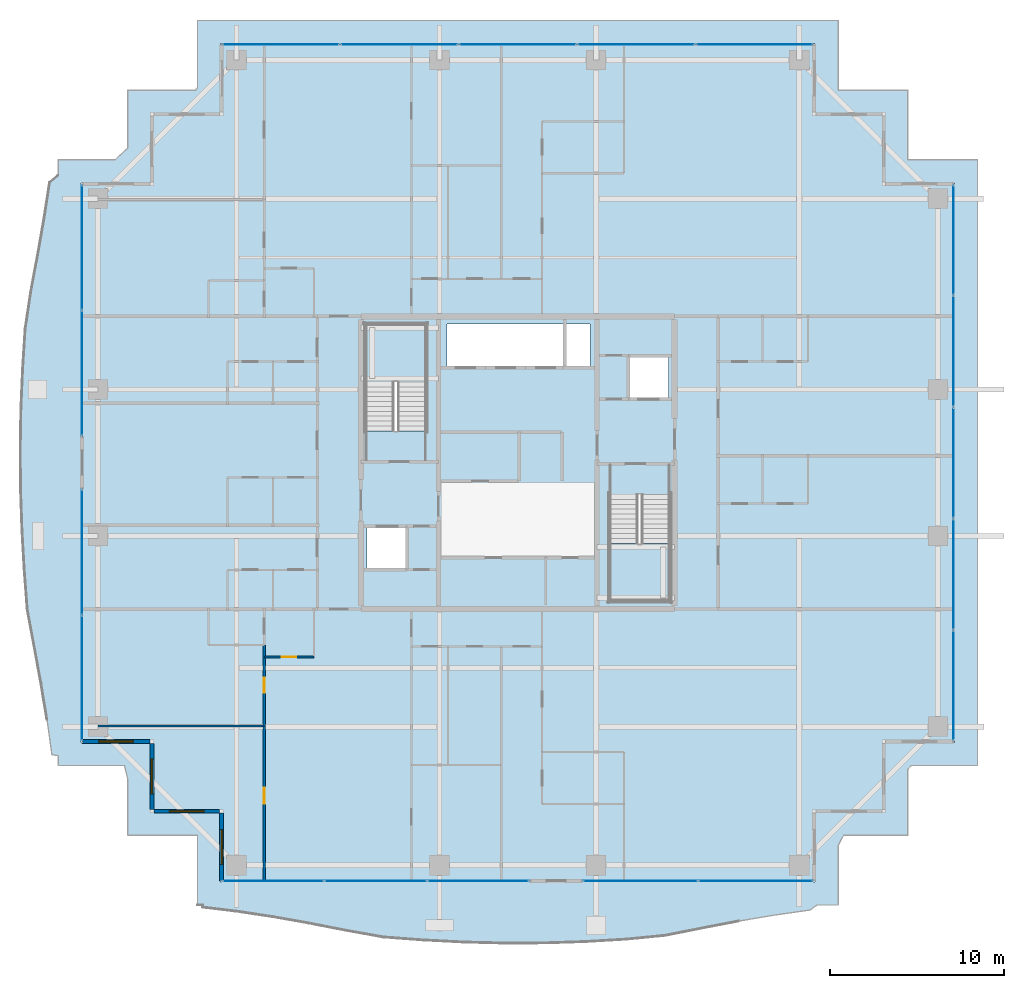
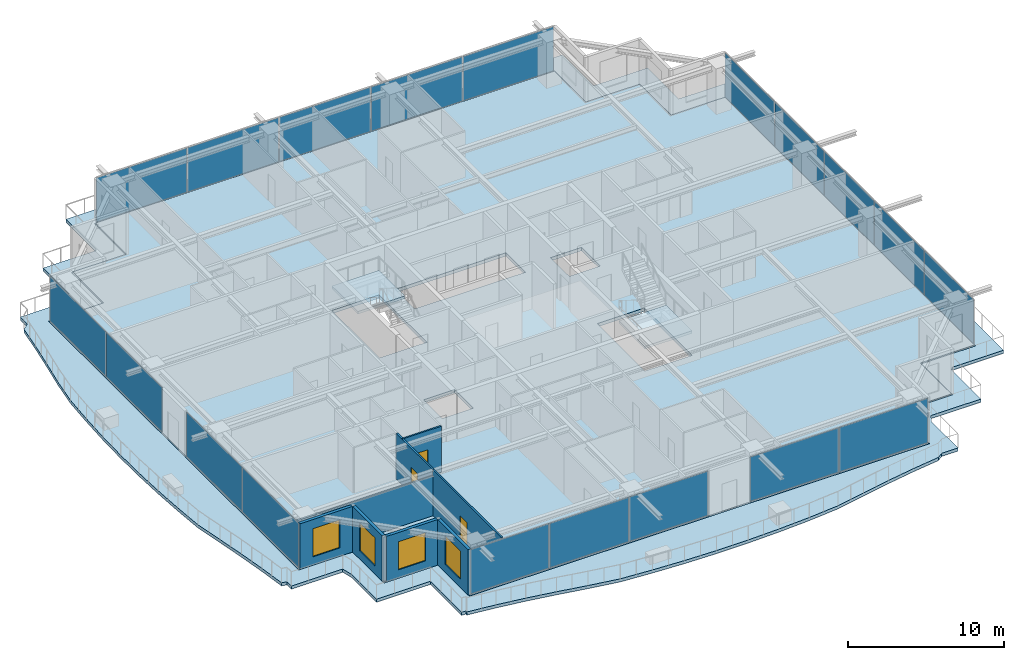
# One storey, part 24 of 36: 19 plates, 8 walls, 4 slabs, 4 windows, 3 doors, 7 openings, 8 elements without a shape of their own.
"""IFC4 building model written with IfcOpenShell, lengths in metres."""

from ifc_helpers import new_model, si_unit, direction, frame, frame_2d, origin, origin_2d, place, context, subcontext, project, spatial, polyline, rectangle, outline, extrude, source, transform, mapped, material, layer, layer_set, type_object, element, fill, aggregate, save


model = new_model("IFC4")

# Units and contexts
model_context = context("Model", 3, precision=1e-05, world=origin(), true_north=direction((0.0, 1.0)))
body_context = subcontext(model_context, "Body", "Model", "MODEL_VIEW")
ifc_project = project(units=[si_unit("LENGTHUNIT", "METRE"), si_unit("AREAUNIT", "SQUARE_METRE"), si_unit("VOLUMEUNIT", "CUBIC_METRE"), si_unit("PLANEANGLEUNIT", "RADIAN"), si_unit("MASSUNIT", "GRAM", prefix="KILO")], contexts=[model_context])

# Site, building, storey
site_placement = place(None, origin())
site = spatial("IfcSite", under=ifc_project, at=site_placement, CompositionType="ELEMENT")
building_placement = place(site_placement, origin())
building = spatial("IfcBuilding", under=site, at=building_placement, Name="Serunith Strait Residences", CompositionType="ELEMENT")
storey_placement = place(building_placement, frame((0.0, 0.0, 272.050048828125)))
storey = spatial("IfcBuildingStorey", under=building, at=storey_placement, Name="L68", CompositionType="ELEMENT", Elevation=272.050048828125)

# Slab
ifc_material_1 = material(Name="Concrete C50/60", Category="concrete")
ifc_layer_1 = layer(ifc_material_1, 0.239990234375, Name="Concrete C50/60")
ifc_layer_set_1 = layer_set([ifc_layer_1], Name="Concrete C50/60")
slab_type_1 = type_object("IfcSlabType", Name="SLB-BALC-240", PredefinedType="FLOOR", material=ifc_layer_set_1)
slab_1_placement = place(storey_placement, frame((0.0, 0.0, -0.2900390625)))
element("IfcSlab", 1, at=slab_1_placement, inside=storey, type_object=slab_type_1, Name="L68 Planted Vertical-Forest Balcony Slab", PredefinedType="FLOOR", context=body_context, shape_type="SweptSolid", body=[
    extrude(outline(polyline([(14.02001953125, -0.179931640625), (14.02001953125, 3.820068359375), (10.02001953125, 3.820068359375), (10.02001953125, 7.03466796875), (9.829345703125, 7.820068359375), (6.02001953125, 7.820068359375), (6.02001953125, 8.386962890625), (5.666015625, 8.44677734375), (5.382568359375, 10.4755859375), (5.044921875, 12.525390625), (4.6630859375, 14.61376953125), (4.261474609375, 16.75830078125), (4.088134765625, 19.0185546875), (3.958251953125, 21.31298828125), (3.878662109375, 23.63134765625), (3.857666015625, 25.961181640625), (3.897216796875, 28.287841796875), (3.994384765625, 30.59716796875), (4.139892578125, 32.877197265625), (4.46728515625, 35.069580078125), (4.863525390625, 37.178466796875), (5.225341796875, 39.240234375), (5.535888671875, 41.273681640625), (6.02001953125, 41.68115234375), (6.02001953125, 42.580078125), (9.283203125, 42.580078125), (10.02001953125, 43.2646484375), (10.02001953125, 46.580078125), (13.9189453125, 46.580078125), (14.02001953125, 46.734619140625), (14.02001953125, 50.580078125), (50.780029296875, 50.580078125), (50.780029296875, 46.580078125), (54.780029296875, 46.580078125), (54.780029296875, 42.580078125), (58.780029296875, 42.580078125), (58.780029296875, 7.820068359375), (54.97509765625, 7.820068359375), (54.780029296875, 7.597900390625), (54.780029296875, 3.820068359375), (51.10009765625, 3.820068359375), (50.780029296875, 3.239013671875), (50.780029296875, -0.179931640625), (49.57470703125, -0.179931640625), (49.15771484375, -0.471435546875), (47.135986328125, -0.7568359375), (45.09521484375, -1.103515625), (43.01611328125, -1.502685546875), (40.8779296875, -1.92919921875), (38.6201171875, -2.14990234375), (36.31298828125, -2.286865234375), (33.979248046875, -2.36474609375), (31.634033203125, -2.375244140625), (29.294921875, -2.317138671875), (26.977783203125, -2.19677734375), (24.6953125, -2.02685546875), (22.52099609375, -1.641357421875), (20.424072265625, -1.2294921875), (18.372314453125, -0.8642578125), (16.345703125, -0.55859375), (14.328125, -0.31298828125), (14.329345703125, -0.179931640625), (14.02001953125, -0.179931640625)]), holes=[polyline([(49.455078125, 1.14501953125), (49.455078125, 5.14501953125), (53.455078125, 5.14501953125), (53.455078125, 9.14501953125), (57.455078125, 9.14501953125), (57.455078125, 41.2548828125), (53.455078125, 41.2548828125), (53.455078125, 45.2548828125), (49.455078125, 45.2548828125), (49.455078125, 49.2548828125), (15.344970703125, 49.2548828125), (15.344970703125, 45.2548828125), (11.344970703125, 45.2548828125), (11.344970703125, 41.2548828125), (7.344970703125, 41.2548828125), (7.344970703125, 9.14501953125), (11.344970703125, 9.14501953125), (11.344970703125, 5.14501953125), (15.344970703125, 5.14501953125), (15.344970703125, 1.14501953125), (49.455078125, 1.14501953125)])]), origin(), (0.0, 0.0, 1.0), 0.239990234375),
])

# Stair, slab
stair_type_1 = type_object("IfcStairType", Name="STR-CORE-1", PredefinedType="HALF_TURN_STAIR", material=ifc_material_1)
stair_1_placement = place(storey_placement, origin())
stair_1 = element("IfcStair", 2, at=stair_1_placement, inside=storey, type_object=stair_type_1, Name="L68 Protected Escape Stair ST-1", PredefinedType="HALF_TURN_STAIR")
ifc_layer_2 = layer(ifc_material_1, 0.199951171875, Name="Concrete C50/60")
ifc_layer_set_2 = layer_set([ifc_layer_2], Name="Concrete C50/60")
slab_type_2 = type_object("IfcSlabType", Name="SLB-LAND-200", PredefinedType="LANDING", material=ifc_layer_set_2)
slab_2_placement = place(storey_placement, frame((0.0, 0.0, 1.724853515625)))
slab_2 = element("IfcSlab", 3, at=slab_2_placement, type_object=slab_type_2, Name="ST-1 landing 1", PredefinedType="LANDING", context=body_context, shape_type="SweptSolid", body=[
    extrude(outline(polyline([(27.14990234375, 29.830078125), (27.14990234375, 33.14990234375), (23.64990234375, 33.14990234375), (23.64990234375, 29.830078125), (27.14990234375, 29.830078125)])), origin(), (0.0, 0.0, 1.0), 0.2001953125),
])
aggregate(stair_1, [slab_2])

stair_type_2 = type_object("IfcStairType", Name="STR-CORE-2", PredefinedType="HALF_TURN_STAIR", material=ifc_material_1)
stair_2_placement = place(storey_placement, origin())
stair_2 = element("IfcStair", 4, at=stair_2_placement, inside=storey, type_object=stair_type_2, Name="L68 Protected Escape Stair ST-2", PredefinedType="HALF_TURN_STAIR")
slab_3_placement = place(storey_placement, frame((0.0, 0.0, 1.724853515625)))
slab_3 = element("IfcSlab", 5, at=slab_3_placement, type_object=slab_type_2, Name="ST-2 landing 1", PredefinedType="LANDING", context=body_context, shape_type="SweptSolid", body=[
    extrude(outline(polyline([(37.64990234375, 20.570068359375), (37.64990234375, 17.25), (41.14990234375, 17.25), (41.14990234375, 20.570068359375), (37.64990234375, 20.570068359375)])), origin(), (0.0, 0.0, 1.0), 0.2001953125),
])
aggregate(stair_2, [slab_3])

# Slab
ifc_material_2 = material(Name="Concrete C60/75", Category="concrete")
ifc_layer_3 = layer(ifc_material_2, 0.260009765625, Name="Concrete C60/75")
ifc_layer_set_3 = layer_set([ifc_layer_3], Name="Concrete C60/75")
slab_type_3 = type_object("IfcSlabType", Name="SLB-TWR-275-Z3", PredefinedType="FLOOR", material=ifc_layer_set_3)
slab_4_placement = place(storey_placement, frame((0.0, 0.0, -0.260009765625)))
element("IfcSlab", 6, at=slab_4_placement, inside=storey, type_object=slab_type_3, Name="L68 Structural Floor Plate", PredefinedType="FLOOR", context=body_context, shape_type="SweptSolid", body=[
    extrude(outline(polyline([(15.39990234375, 5.199951171875), (11.39990234375, 5.199951171875), (11.39990234375, 9.199951171875), (7.39990234375, 9.199951171875), (7.39990234375, 41.199951171875), (11.39990234375, 41.199951171875), (11.39990234375, 45.199951171875), (15.39990234375, 45.199951171875), (15.39990234375, 49.199951171875), (49.39990234375, 49.199951171875), (49.39990234375, 45.199951171875), (53.39990234375, 45.199951171875), (53.39990234375, 41.199951171875), (57.39990234375, 41.199951171875), (57.39990234375, 9.199951171875), (53.39990234375, 9.199951171875), (53.39990234375, 5.199951171875), (49.39990234375, 5.199951171875), (49.39990234375, 1.199951171875), (15.39990234375, 1.199951171875), (15.39990234375, 5.199951171875)]), holes=[polyline([(41.14990234375, 23.3701171875), (37.64990234375, 23.3701171875), (37.64990234375, 17.25), (41.14990234375, 17.25), (41.14990234375, 23.3701171875)]), polyline([(38.75, 31.25), (38.75, 28.85009765625), (41.050048828125, 28.85009765625), (41.050048828125, 31.25), (38.75, 31.25)]), polyline([(36.550048828125, 33.14990234375), (28.35009765625, 33.14990234375), (28.35009765625, 30.64990234375), (36.550048828125, 30.64990234375), (36.550048828125, 33.14990234375)]), polyline([(23.64990234375, 33.14990234375), (23.64990234375, 27.030029296875), (27.14990234375, 27.030029296875), (27.14990234375, 33.14990234375), (23.64990234375, 33.14990234375)]), polyline([(23.75, 21.550048828125), (23.75, 19.14990234375), (26.050048828125, 19.14990234375), (26.050048828125, 21.550048828125), (23.75, 21.550048828125)])]), origin(), (0.0, 0.0, 1.0), 0.260009765625),
])

# Curtain wall, plates
ifc_material_3 = material(Name="Pale-Champagne Anodised Aluminium", Category="aluminium")
ifc_layer_4 = layer(ifc_material_3, 0.199951171875, Name="Pale-Champagne Anodised Aluminium")
ifc_layer_set_4 = layer_set([ifc_layer_4], Name="Pale-Champagne Anodised Aluminium")
curtain_wall_type = type_object("IfcCurtainWallType", Name="CW-SYS4", PredefinedType="NOTDEFINED", material=ifc_layer_set_4)
curtain_wall_1_placement = place(storey_placement, origin())
curtain_wall_1 = element("IfcCurtainWall", 7, at=curtain_wall_1_placement, inside=storey, type_object=curtain_wall_type, Name="L68 E Unitised Fritted Curtain Wall", PredefinedType="NOTDEFINED")
ifc_material_4 = material(Name="Ceramic-Printed Solar-Control Glazing 28mm", Category="glass")
ifc_layer_5 = layer(ifc_material_4, 0.028076171875, Name="Ceramic-Printed Solar-Control Glazing 28mm")
ifc_layer_set_5 = layer_set([ifc_layer_5], Name="Ceramic-Printed Solar-Control Glazing 28mm")
plate_type = type_object("IfcPlateType", Name="CW-SYS4-PNL", PredefinedType="CURTAIN_PANEL", material=ifc_layer_set_5)
shared_shape_1 = source(origin(), body_context, "Body", "SweptSolid", [
    extrude(rectangle(XDim=6.302490234375, YDim=0.028076171875, at=origin_2d()), origin(), (0.0, 0.0, 1.0), 3.455078125),
])
plate_1_placement = place(storey_placement, frame((57.39990234375, 12.416259765625, 0.059814453125), z_axis=(0.0, 0.0, 1.0), x_axis=(0.0, 1.0, 0.0)))
plate_1 = element("IfcPlate", 8, at=plate_1_placement, type_object=plate_type, Name="CW-4 panel 1.1", PredefinedType="CURTAIN_PANEL", context=body_context, shape_type="MappedRepresentation", body=[
    mapped(shared_shape_1, transform((0.0, 0.0, 0.0), scale=1.0)),
])
plate_2_placement = place(storey_placement, frame((57.39990234375, 37.983642578125, 0.059814453125), z_axis=(0.0, 0.0, 1.0), x_axis=(0.0, 1.0, 0.0)))
plate_2 = element("IfcPlate", 9, at=plate_2_placement, type_object=plate_type, Name="CW-4 panel 5.1", PredefinedType="CURTAIN_PANEL", context=body_context, shape_type="MappedRepresentation", body=[
    mapped(shared_shape_1, transform((0.0, 0.0, 0.0), scale=1.0)),
])
shared_shape_2 = source(origin(), body_context, "Body", "SweptSolid", [
    extrude(rectangle(XDim=6.3349609375, YDim=0.028076171875, at=origin_2d()), origin(), (0.0, 0.0, 1.0), 3.455078125),
])
plate_3_placement = place(storey_placement, frame((57.39990234375, 18.800048828125, 0.059814453125), z_axis=(0.0, 0.0, 1.0), x_axis=(0.0, 1.0, 0.0)))
plate_3 = element("IfcPlate", 10, at=plate_3_placement, type_object=plate_type, Name="CW-4 panel 2.1", PredefinedType="CURTAIN_PANEL", context=body_context, shape_type="MappedRepresentation", body=[
    mapped(shared_shape_2, transform((0.0, 0.0, 0.0), scale=1.0)),
])
plate_4_placement = place(storey_placement, frame((57.39990234375, 25.199951171875, 0.059814453125), z_axis=(0.0, 0.0, 1.0), x_axis=(0.0, 1.0, 0.0)))
plate_4 = element("IfcPlate", 11, at=plate_4_placement, type_object=plate_type, Name="CW-4 panel 3.1", PredefinedType="CURTAIN_PANEL", context=body_context, shape_type="MappedRepresentation", body=[
    mapped(shared_shape_2, transform((0.0, 0.0, 0.0), scale=1.0)),
])
plate_5_placement = place(storey_placement, frame((57.39990234375, 31.60009765625, 0.059814453125), z_axis=(0.0, 0.0, 1.0), x_axis=(0.0, 1.0, 0.0)))
plate_5 = element("IfcPlate", 12, at=plate_5_placement, type_object=plate_type, Name="CW-4 panel 4.1", PredefinedType="CURTAIN_PANEL", context=body_context, shape_type="MappedRepresentation", body=[
    mapped(shared_shape_2, transform((0.0, 0.0, 0.0), scale=1.0)),
])
aggregate(curtain_wall_1, [plate_1, plate_3, plate_4, plate_5, plate_2])

curtain_wall_2_placement = place(storey_placement, origin())
curtain_wall_2 = element("IfcCurtainWall", 13, at=curtain_wall_2_placement, inside=storey, type_object=curtain_wall_type, Name="L68 N Unitised Fritted Curtain Wall", PredefinedType="NOTDEFINED")
shared_shape_3 = source(origin(), body_context, "Body", "SweptSolid", [
    extrude(rectangle(XDim=6.702392578125, YDim=0.028076171875, at=origin_2d()), origin(), (0.0, 0.0, 1.0), 3.455078125),
])
plate_6_placement = place(storey_placement, frame((45.983642578125, 49.199951171875, 0.059814453125), z_axis=(0.0, 0.0, 1.0), x_axis=(-1.0, 0.0, 0.0)))
plate_6 = element("IfcPlate", 14, at=plate_6_placement, type_object=plate_type, Name="CW-4 panel 1.1", PredefinedType="CURTAIN_PANEL", context=body_context, shape_type="MappedRepresentation", body=[
    mapped(shared_shape_3, transform((0.0, 0.0, 0.0), scale=1.0)),
])
plate_7_placement = place(storey_placement, frame((18.816162109375, 49.199951171875, 0.059814453125), z_axis=(0.0, 0.0, 1.0), x_axis=(-1.0, 0.0, 0.0)))
plate_7 = element("IfcPlate", 15, at=plate_7_placement, type_object=plate_type, Name="CW-4 panel 5.1", PredefinedType="CURTAIN_PANEL", context=body_context, shape_type="MappedRepresentation", body=[
    mapped(shared_shape_3, transform((0.0, 0.0, 0.0), scale=1.0)),
])
shared_shape_4 = source(origin(), body_context, "Body", "SweptSolid", [
    extrude(rectangle(XDim=6.735107421875, YDim=0.028076171875, at=origin_2d()), origin(), (0.0, 0.0, 1.0), 3.455078125),
])
plate_8_placement = place(storey_placement, frame((39.199951171875, 49.199951171875, 0.059814453125), z_axis=(0.0, 0.0, 1.0), x_axis=(-1.0, 0.0, 0.0)))
plate_8 = element("IfcPlate", 16, at=plate_8_placement, type_object=plate_type, Name="CW-4 panel 2.1", PredefinedType="CURTAIN_PANEL", context=body_context, shape_type="MappedRepresentation", body=[
    mapped(shared_shape_4, transform((0.0, 0.0, 0.0), scale=1.0)),
])
plate_9_placement = place(storey_placement, frame((32.39990234375, 49.199951171875, 0.059814453125), z_axis=(0.0, 0.0, 1.0), x_axis=(-1.0, 0.0, 0.0)))
plate_9 = element("IfcPlate", 17, at=plate_9_placement, type_object=plate_type, Name="CW-4 panel 3.1", PredefinedType="CURTAIN_PANEL", context=body_context, shape_type="MappedRepresentation", body=[
    mapped(shared_shape_4, transform((0.0, 0.0, 0.0), scale=1.0)),
])
plate_10_placement = place(storey_placement, frame((25.60009765625, 49.199951171875, 0.059814453125), z_axis=(0.0, 0.0, 1.0), x_axis=(-1.0, 0.0, 0.0)))
plate_10 = element("IfcPlate", 18, at=plate_10_placement, type_object=plate_type, Name="CW-4 panel 4.1", PredefinedType="CURTAIN_PANEL", context=body_context, shape_type="MappedRepresentation", body=[
    mapped(shared_shape_4, transform((0.0, 0.0, 0.0), scale=1.0)),
])
aggregate(curtain_wall_2, [plate_6, plate_8, plate_9, plate_10, plate_7])

curtain_wall_3_placement = place(storey_placement, origin())
curtain_wall_3 = element("IfcCurtainWall", 19, at=curtain_wall_3_placement, inside=storey, type_object=curtain_wall_type, Name="L68 W Unitised Fritted Curtain Wall", PredefinedType="NOTDEFINED")
shared_shape_5 = source(origin(), body_context, "Body", "SweptSolid", [
    extrude(rectangle(XDim=7.152587890625, YDim=0.028076171875, at=origin_2d()), origin(), (0.0, 0.0, 1.0), 3.455078125),
])
plate_11_placement = place(storey_placement, frame((7.39990234375, 37.558837890625, 0.059814453125), z_axis=(0.0, 0.0, 1.0), x_axis=(0.0, -1.0, 0.0)))
plate_11 = element("IfcPlate", 20, at=plate_11_placement, type_object=plate_type, Name="CW-4 panel 1.1", PredefinedType="CURTAIN_PANEL", context=body_context, shape_type="MappedRepresentation", body=[
    mapped(shared_shape_5, transform((0.0, 0.0, 0.0), scale=1.0)),
])
plate_12_placement = place(storey_placement, frame((7.39990234375, 30.34130859375, 0.059814453125), z_axis=(0.0, 0.0, 1.0), x_axis=(0.0, -1.0, 0.0)))
plate_12 = element("IfcPlate", 21, at=plate_12_placement, type_object=plate_type, Name="CW-4 panel 2.1", PredefinedType="CURTAIN_PANEL", context=body_context, shape_type="MappedRepresentation", body=[
    mapped(shared_shape_5, transform((0.0, 0.0, 0.0), scale=1.0)),
])
aggregate(curtain_wall_3, [plate_11, plate_12])

curtain_wall_4_placement = place(storey_placement, origin())
curtain_wall_4 = element("IfcCurtainWall", 22, at=curtain_wall_4_placement, inside=storey, type_object=curtain_wall_type, Name="L68 W Unitised Fritted Curtain Wall", PredefinedType="NOTDEFINED")
plate_13_placement = place(storey_placement, frame((7.39990234375, 20.058837890625, 0.059814453125), z_axis=(0.0, 0.0, 1.0), x_axis=(0.0, -1.0, 0.0)))
plate_13 = element("IfcPlate", 23, at=plate_13_placement, type_object=plate_type, Name="CW-4 panel 1.1", PredefinedType="CURTAIN_PANEL", context=body_context, shape_type="MappedRepresentation", body=[
    mapped(shared_shape_5, transform((0.0, 0.0, 0.0), scale=1.0)),
])
plate_14_placement = place(storey_placement, frame((7.39990234375, 12.84130859375, 0.059814453125), z_axis=(0.0, 0.0, 1.0), x_axis=(0.0, -1.0, 0.0)))
plate_14 = element("IfcPlate", 24, at=plate_14_placement, type_object=plate_type, Name="CW-4 panel 2.1", PredefinedType="CURTAIN_PANEL", context=body_context, shape_type="MappedRepresentation", body=[
    mapped(shared_shape_5, transform((0.0, 0.0, 0.0), scale=1.0)),
])
aggregate(curtain_wall_4, [plate_13, plate_14])

curtain_wall_5_placement = place(storey_placement, origin())
curtain_wall_5 = element("IfcCurtainWall", 25, at=curtain_wall_5_placement, inside=storey, type_object=curtain_wall_type, Name="L68 S Unitised Fritted Curtain Wall", PredefinedType="NOTDEFINED")
shared_shape_6 = source(origin(), body_context, "Body", "SweptSolid", [
    extrude(rectangle(XDim=6.552490234375, YDim=0.028076171875, at=origin_2d()), origin(), (0.0, 0.0, 1.0), 3.455078125),
])
plate_15_placement = place(storey_placement, frame((39.441162109375, 1.199951171875, 0.059814453125), z_axis=(0.0, 0.0, 1.0), x_axis=(1.0, 0.0, 0.0)))
plate_15 = element("IfcPlate", 26, at=plate_15_placement, type_object=plate_type, Name="CW-4 panel 1.1", PredefinedType="CURTAIN_PANEL", context=body_context, shape_type="MappedRepresentation", body=[
    mapped(shared_shape_6, transform((0.0, 0.0, 0.0), scale=1.0)),
])
plate_16_placement = place(storey_placement, frame((46.058837890625, 1.199951171875, 0.059814453125), z_axis=(0.0, 0.0, 1.0), x_axis=(1.0, 0.0, 0.0)))
plate_16 = element("IfcPlate", 27, at=plate_16_placement, type_object=plate_type, Name="CW-4 panel 2.1", PredefinedType="CURTAIN_PANEL", context=body_context, shape_type="MappedRepresentation", body=[
    mapped(shared_shape_6, transform((0.0, 0.0, 0.0), scale=1.0)),
])
aggregate(curtain_wall_5, [plate_15, plate_16])

curtain_wall_6_placement = place(storey_placement, origin())
curtain_wall_6 = element("IfcCurtainWall", 28, at=curtain_wall_6_placement, inside=storey, type_object=curtain_wall_type, Name="L68 S Unitised Fritted Curtain Wall", PredefinedType="NOTDEFINED")
shared_shape_7 = source(origin(), body_context, "Body", "SweptSolid", [
    extrude(rectangle(XDim=5.802490234375, YDim=0.028076171875, at=origin_2d()), origin(), (0.0, 0.0, 1.0), 3.455078125),
])
plate_17_placement = place(storey_placement, frame((18.3662109375, 1.199951171875, 0.059814453125), z_axis=(0.0, 0.0, 1.0), x_axis=(1.0, 0.0, 0.0)))
plate_17 = element("IfcPlate", 29, at=plate_17_placement, type_object=plate_type, Name="CW-4 panel 1.1", PredefinedType="CURTAIN_PANEL", context=body_context, shape_type="MappedRepresentation", body=[
    mapped(shared_shape_7, transform((0.0, 0.0, 0.0), scale=1.0)),
])
plate_18_placement = place(storey_placement, frame((30.1337890625, 1.199951171875, 0.059814453125), z_axis=(0.0, 0.0, 1.0), x_axis=(1.0, 0.0, 0.0)))
plate_18 = element("IfcPlate", 30, at=plate_18_placement, type_object=plate_type, Name="CW-4 panel 3.1", PredefinedType="CURTAIN_PANEL", context=body_context, shape_type="MappedRepresentation", body=[
    mapped(shared_shape_7, transform((0.0, 0.0, 0.0), scale=1.0)),
])
shared_shape_8 = source(origin(), body_context, "Body", "SweptSolid", [
    extrude(rectangle(XDim=5.8349609375, YDim=0.028076171875, at=origin_2d()), origin(), (0.0, 0.0, 1.0), 3.455078125),
])
plate_19_placement = place(storey_placement, frame((24.25, 1.199951171875, 0.059814453125), z_axis=(0.0, 0.0, 1.0), x_axis=(1.0, 0.0, 0.0)))
plate_19 = element("IfcPlate", 31, at=plate_19_placement, type_object=plate_type, Name="CW-4 panel 2.1", PredefinedType="CURTAIN_PANEL", context=body_context, shape_type="MappedRepresentation", body=[
    mapped(shared_shape_8, transform((0.0, 0.0, 0.0), scale=1.0)),
])
aggregate(curtain_wall_6, [plate_17, plate_19, plate_18])

# Wall, opening, window
ifc_material_5 = material(Name="Pale-Champagne Aluminium Insulated Panel", Category="aluminium")
ifc_layer_6 = layer(ifc_material_5, 0.219970703125, Name="Pale-Champagne Aluminium Insulated Panel")
ifc_layer_set_6 = layer_set([ifc_layer_6], Name="Pale-Champagne Aluminium Insulated Panel")
wall_type_1 = type_object("IfcWallType", Name="EW-ALUM-220", PredefinedType="ELEMENTEDWALL", material=ifc_layer_set_6)
wall_1_placement = place(storey_placement, frame((7.39990234375, 9.199951171875, 0.0), z_axis=(0.0, 0.0, 1.0), x_axis=(1.0, 0.0, 0.0)))
wall_1 = element("IfcWall", 32, at=wall_1_placement, inside=storey, type_object=wall_type_1, Name="L68 Girih Serrated Corner Wall 17", PredefinedType="ELEMENTEDWALL", context=body_context, shape_type="SweptSolid", body=[
    extrude(rectangle(XDim=3.89013671875, YDim=0.219970703125, at=frame_2d((1.945068359375, 0.0))), origin(), (0.0, 0.0, 1.0), 3.574951171875),
])
opening_1_placement = place(wall_1_placement, frame((0.945068359375, 0.0, 0.64990234375)))
opening_1 = element("IfcOpeningElement", 33, at=opening_1_placement, cuts=wall_1, Name="Opening W-04", PredefinedType="OPENING", context=body_context, shape_type="SweptSolid", body=[
    extrude(rectangle(XDim=2.0, YDim=2.199951171875, at=frame_2d((1.0, 1.10009765625))), frame((0.0, 0.1201171875, 0.0), z_axis=(0.0, -1.0, 0.0), x_axis=(1.0, 0.0, 0.0)), (0.0, 0.0, 1.0), 0.239990234375),
])
ifc_material_6 = material(Name="Ceramic-Fritted Operable Aluminium Window Glass", Category="aluminium")
window_type = type_object("IfcWindowType", Name="WIN-C4", PartitioningType="TRIPLE_PANEL_VERTICAL", PredefinedType="WINDOW", material=ifc_material_6)
shared_shape_9 = source(origin(), body_context, "Body", "SweptSolid", [
    extrude(rectangle(XDim=2.0, YDim=2.199951171875, at=frame_2d((1.0, 1.10009765625))), frame((0.0, 0.030029296875, 0.0), z_axis=(0.0, -1.0, 0.0), x_axis=(1.0, 0.0, 0.0)), (0.0, 0.0, 1.0), 0.06005859375),
])
window_1_placement = place(opening_1_placement, origin())
window_1 = element("IfcWindow", 34, at=window_1_placement, inside=storey, type_object=window_type, Name="L68 Corner Operable Fritted Window 17", OverallHeight=2.199951171875, OverallWidth=2.0, PartitioningType="SINGLE_PANEL", PredefinedType="WINDOW", context=body_context, shape_type="MappedRepresentation", body=[
    mapped(shared_shape_9, transform((0.0, 0.0, 0.0), scale=1.0)),
])
fill(opening_1, window_1)

wall_2_placement = place(storey_placement, frame((11.39990234375, 9.090087890625, 0.0), z_axis=(0.0, 0.0, 1.0), x_axis=(0.0, -1.0, 0.0)))
wall_2 = element("IfcWall", 35, at=wall_2_placement, inside=storey, type_object=wall_type_1, Name="L68 Girih Serrated Corner Wall 18", PredefinedType="ELEMENTEDWALL", context=body_context, shape_type="SweptSolid", body=[
    extrude(rectangle(XDim=3.780029296875, YDim=0.219970703125, at=frame_2d((1.89013671875, 0.0))), origin(), (0.0, 0.0, 1.0), 3.574951171875),
])
opening_2_placement = place(wall_2_placement, frame((0.889892578125, 0.0, 0.64990234375)))
opening_2 = element("IfcOpeningElement", 36, at=opening_2_placement, cuts=wall_2, Name="Opening W-04", PredefinedType="OPENING", context=body_context, shape_type="SweptSolid", body=[
    extrude(rectangle(XDim=2.0, YDim=2.199951171875, at=frame_2d((1.0, 1.10009765625))), frame((0.0, 0.1201171875, 0.0), z_axis=(0.0, -1.0, 0.0), x_axis=(1.0, 0.0, 0.0)), (0.0, 0.0, 1.0), 0.239990234375),
])
window_2_placement = place(opening_2_placement, origin())
window_2 = element("IfcWindow", 37, at=window_2_placement, inside=storey, type_object=window_type, Name="L68 Corner Operable Fritted Window 18", OverallHeight=2.199951171875, OverallWidth=2.0, PartitioningType="SINGLE_PANEL", PredefinedType="WINDOW", context=body_context, shape_type="MappedRepresentation", body=[
    mapped(shared_shape_9, transform((0.0, 0.0, 0.0), scale=1.0)),
])
fill(opening_2, window_2)

wall_3_placement = place(storey_placement, frame((11.510009765625, 5.199951171875, 0.0), z_axis=(0.0, 0.0, 1.0), x_axis=(1.0, 0.0, 0.0)))
wall_3 = element("IfcWall", 38, at=wall_3_placement, inside=storey, type_object=wall_type_1, Name="L68 Girih Serrated Corner Wall 19", PredefinedType="ELEMENTEDWALL", context=body_context, shape_type="SweptSolid", body=[
    extrude(rectangle(XDim=3.780029296875, YDim=0.219970703125, at=frame_2d((1.89013671875, 0.0))), origin(), (0.0, 0.0, 1.0), 3.574951171875),
])
opening_3_placement = place(wall_3_placement, frame((0.889892578125, 0.0, 0.64990234375)))
opening_3 = element("IfcOpeningElement", 39, at=opening_3_placement, cuts=wall_3, Name="Opening W-04", PredefinedType="OPENING", context=body_context, shape_type="SweptSolid", body=[
    extrude(rectangle(XDim=2.0, YDim=2.199951171875, at=frame_2d((1.0, 1.10009765625))), frame((0.0, 0.1201171875, 0.0), z_axis=(0.0, -1.0, 0.0), x_axis=(1.0, 0.0, 0.0)), (0.0, 0.0, 1.0), 0.239990234375),
])
window_3_placement = place(opening_3_placement, origin())
window_3 = element("IfcWindow", 40, at=window_3_placement, inside=storey, type_object=window_type, Name="L68 Corner Operable Fritted Window 19", OverallHeight=2.199951171875, OverallWidth=2.0, PartitioningType="SINGLE_PANEL", PredefinedType="WINDOW", context=body_context, shape_type="MappedRepresentation", body=[
    mapped(shared_shape_9, transform((0.0, 0.0, 0.0), scale=1.0)),
])
fill(opening_3, window_3)

wall_4_placement = place(storey_placement, frame((15.39990234375, 5.090087890625, 0.0), z_axis=(0.0, 0.0, 1.0), x_axis=(0.0, -1.0, 0.0)))
wall_4 = element("IfcWall", 41, at=wall_4_placement, inside=storey, type_object=wall_type_1, Name="L68 Girih Serrated Corner Wall 20", PredefinedType="ELEMENTEDWALL", context=body_context, shape_type="SweptSolid", body=[
    extrude(rectangle(XDim=3.89013671875, YDim=0.219970703125, at=frame_2d((1.945068359375, 0.0))), origin(), (0.0, 0.0, 1.0), 3.574951171875),
])
opening_4_placement = place(wall_4_placement, frame((0.945068359375, 0.0, 0.64990234375)))
opening_4 = element("IfcOpeningElement", 42, at=opening_4_placement, cuts=wall_4, Name="Opening W-04", PredefinedType="OPENING", context=body_context, shape_type="SweptSolid", body=[
    extrude(rectangle(XDim=2.0, YDim=2.199951171875, at=frame_2d((1.0, 1.10009765625))), frame((0.0, 0.1201171875, 0.0), z_axis=(0.0, -1.0, 0.0), x_axis=(1.0, 0.0, 0.0)), (0.0, 0.0, 1.0), 0.239990234375),
])
window_4_placement = place(opening_4_placement, origin())
window_4 = element("IfcWindow", 43, at=window_4_placement, inside=storey, type_object=window_type, Name="L68 Corner Operable Fritted Window 20", OverallHeight=2.199951171875, OverallWidth=2.0, PartitioningType="SINGLE_PANEL", PredefinedType="WINDOW", context=body_context, shape_type="MappedRepresentation", body=[
    mapped(shared_shape_9, transform((0.0, 0.0, 0.0), scale=1.0)),
])
fill(opening_4, window_4)

# Wall, opening, door
ifc_material_7 = material(Name="Lightweight steel-stud gypsum partition", Category="steel")
ifc_layer_7 = layer(ifc_material_7, 0.1201171875, Name="Lightweight steel-stud gypsum partition")
ifc_layer_set_7 = layer_set([ifc_layer_7], Name="Lightweight steel-stud gypsum partition")
wall_type_2 = type_object("IfcWallType", Name="IW-PART-120", PredefinedType="PARTITIONING", material=ifc_layer_set_7)
wall_5_placement = place(storey_placement, frame((17.85009765625, 14.050048828125, 0.0), z_axis=(0.0, 0.0, 1.0), x_axis=(1.0, 0.0, 0.0)))
wall_5 = element("IfcWall", 44, at=wall_5_placement, inside=storey, type_object=wall_type_2, Name="L68 Partition Wall 033", PredefinedType="PARTITIONING", context=body_context, shape_type="SweptSolid", body=[
    extrude(rectangle(XDim=2.849853515625, YDim=0.1201171875, at=frame_2d((1.4248046875, 0.0))), origin(), (0.0, 0.0, 1.0), 3.58984375),
])
opening_5_placement = place(wall_5_placement, frame((1.0, 0.0, 0.0)))
opening_5 = element("IfcOpeningElement", 45, at=opening_5_placement, cuts=wall_5, Name="Opening D-RM850", PredefinedType="OPENING", context=body_context, shape_type="SweptSolid", body=[
    extrude(rectangle(XDim=0.85009765625, YDim=2.10009765625, at=frame_2d((0.425048828125, 1.050048828125))), frame((0.0, 0.070068359375, 0.0), z_axis=(0.0, -1.0, 0.0), x_axis=(1.0, 0.0, 0.0)), (0.0, 0.0, 1.0), 0.14013671875),
])
ifc_material_8 = material(Name="Engineered timber flush study and kitchen door", Category="wood")
door_type_1 = type_object("IfcDoorType", Name="ID-ROOM-850", OperationType="NOTDEFINED", PredefinedType="DOOR", material=ifc_material_8)
shared_shape_10 = source(origin(), body_context, "Body", "SweptSolid", [
    extrude(rectangle(XDim=0.85009765625, YDim=2.10009765625, at=frame_2d((0.425048828125, 1.050048828125))), frame((0.0, 0.02490234375, 0.0), z_axis=(0.0, -1.0, 0.0), x_axis=(1.0, 0.0, 0.0)), (0.0, 0.0, 1.0), 0.050048828125),
])
door_1_placement = place(opening_5_placement, origin())
door_1 = element("IfcDoor", 46, at=door_1_placement, inside=storey, type_object=door_type_1, Name="L68 Kitchen 6801 Door", OperationType="SINGLE_SWING_RIGHT", OverallHeight=2.10009765625, OverallWidth=0.85009765625, PredefinedType="DOOR", context=body_context, shape_type="MappedRepresentation", body=[
    mapped(shared_shape_10, transform((0.0, 0.0, 0.0), scale=1.0)),
])
fill(opening_5, door_1)

wall_6_placement = place(storey_placement, frame((17.85009765625, 1.294921875, 0.0), z_axis=(0.0, 0.0, 1.0), x_axis=(0.0, 1.0, 0.0)))
wall_6 = element("IfcWall", 47, at=wall_6_placement, inside=storey, type_object=wall_type_2, Name="L68 Partition Wall 035", PredefinedType="PARTITIONING", context=body_context, shape_type="SweptSolid", body=[
    extrude(rectangle(XDim=8.799072265625, YDim=0.1201171875, at=frame_2d((4.3994140625, 0.0))), origin(), (0.0, 0.0, 1.0), 3.58984375),
])
opening_6_placement = place(wall_6_placement, frame((4.343994140625, 0.0, 0.0)))
opening_6 = element("IfcOpeningElement", 48, at=opening_6_placement, cuts=wall_6, Name="Opening D-RM900", PredefinedType="OPENING", context=body_context, shape_type="SweptSolid", body=[
    extrude(rectangle(XDim=0.89990234375, YDim=2.10009765625, at=frame_2d((0.449951171875, 1.050048828125))), frame((0.0, 0.070068359375, 0.0), z_axis=(0.0, -1.0, 0.0), x_axis=(1.0, 0.0, 0.0)), (0.0, 0.0, 1.0), 0.14013671875),
])
ifc_material_9 = material(Name="Engineered timber flush bedroom door", Category="wood")
door_type_2 = type_object("IfcDoorType", Name="ID-ROOM-900", OperationType="NOTDEFINED", PredefinedType="DOOR", material=ifc_material_9)
shared_shape_11 = source(origin(), body_context, "Body", "SweptSolid", [
    extrude(rectangle(XDim=0.89990234375, YDim=2.10009765625, at=frame_2d((0.449951171875, 1.050048828125))), frame((0.0, 0.02490234375, 0.0), z_axis=(0.0, -1.0, 0.0), x_axis=(1.0, 0.0, 0.0)), (0.0, 0.0, 1.0), 0.050048828125),
])
door_2_placement = place(opening_6_placement, origin())
door_2 = element("IfcDoor", 49, at=door_2_placement, inside=storey, type_object=door_type_2, Name="L68 Master Bedroom 1 6801 Door", OperationType="SINGLE_SWING_LEFT", OverallHeight=2.10009765625, OverallWidth=0.89990234375, PredefinedType="DOOR", context=body_context, shape_type="MappedRepresentation", body=[
    mapped(shared_shape_11, transform((0.0, 0.0, 0.0), scale=1.0)),
])
fill(opening_6, door_2)

# Wall
wall_7_placement = place(storey_placement, frame((7.4951171875, 10.093994140625, 0.0), z_axis=(0.0, 0.0, 1.0), x_axis=(1.0, 0.0, 0.0)))
element("IfcWall", 50, at=wall_7_placement, inside=storey, type_object=wall_type_2, Name="L68 Partition Wall 036", PredefinedType="PARTITIONING", context=body_context, shape_type="SweptSolid", body=[
    extrude(rectangle(XDim=10.35498046875, YDim=0.1201171875, at=frame_2d((5.177490234375, 0.0))), origin(), (0.0, 0.0, 1.0), 3.1220703125),
])

# Wall, opening, door
wall_8_placement = place(storey_placement, frame((17.85009765625, 10.095947265625, 0.0), z_axis=(0.0, 0.0, 1.0), x_axis=(0.0, 1.0, 0.0)))
wall_8 = element("IfcWall", 51, at=wall_8_placement, inside=storey, type_object=wall_type_2, Name="L68 Partition Wall 039", PredefinedType="PARTITIONING", context=body_context, shape_type="SweptSolid", body=[
    extrude(rectangle(XDim=4.654052734375, YDim=0.1201171875, at=frame_2d((2.3271484375, 0.0))), origin(), (0.0, 0.0, 1.0), 3.58984375),
])
opening_7_placement = place(wall_8_placement, frame((1.902099609375, 0.0, 0.0)))
opening_7 = element("IfcOpeningElement", 52, at=opening_7_placement, cuts=wall_8, Name="Opening D-RM850", PredefinedType="OPENING", context=body_context, shape_type="SweptSolid", body=[
    extrude(rectangle(XDim=0.85009765625, YDim=2.10009765625, at=frame_2d((0.425048828125, 1.050048828125))), frame((0.0, 0.070068359375, 0.0), z_axis=(0.0, -1.0, 0.0), x_axis=(1.0, 0.0, 0.0)), (0.0, 0.0, 1.0), 0.14013671875),
])
door_3_placement = place(opening_7_placement, origin())
door_3 = element("IfcDoor", 53, at=door_3_placement, inside=storey, type_object=door_type_1, Name="L68 Walk-in Wardrobe 6801 Door", OperationType="SINGLE_SWING_RIGHT", OverallHeight=2.10009765625, OverallWidth=0.85009765625, PredefinedType="DOOR", context=body_context, shape_type="MappedRepresentation", body=[
    mapped(shared_shape_10, transform((0.0, 0.0, 0.0), scale=1.0)),
])
fill(opening_7, door_3)

save(model, "model.ifc")
